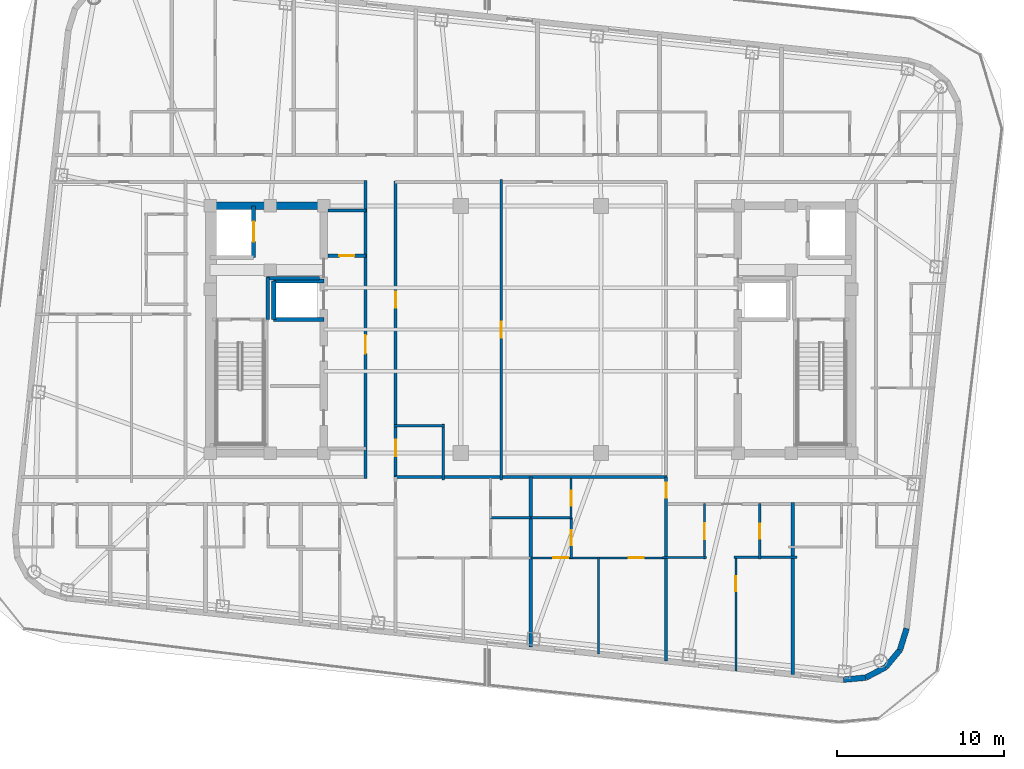
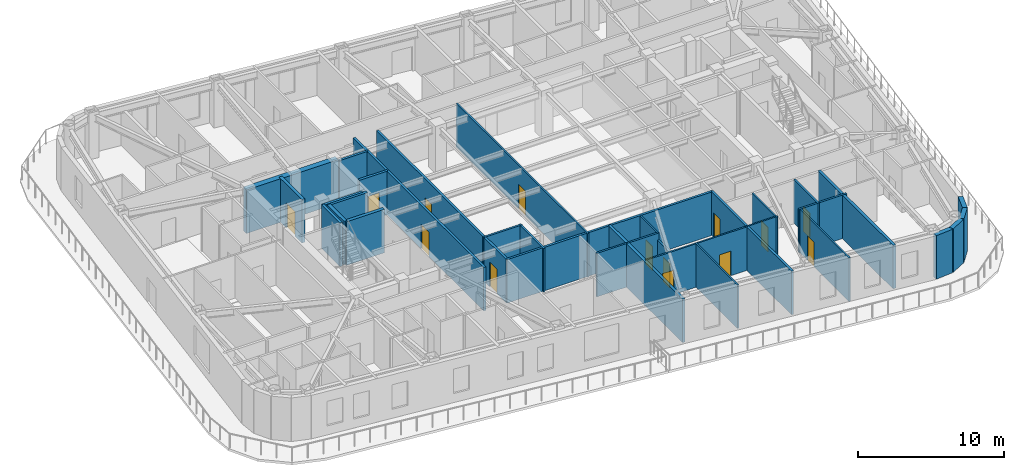
# One storey, part 5 of 14: 33 walls, 14 doors, 14 openings.
"""IFC4 building model written with IfcOpenShell, lengths in metres."""

from ifc_helpers import new_model, si_unit, direction, frame, frame_2d, origin, place, context, subcontext, project, spatial, rectangle, extrude, material, layer, layer_set, type_object, element, fill, save


model = new_model("IFC4")

# Units and contexts
model_context = context("Model", 3, precision=1e-05, world=origin(), true_north=direction((0.0, 1.0)))
body_context = subcontext(model_context, "Body", "Model", "MODEL_VIEW")
ifc_project = project(units=[si_unit("LENGTHUNIT", "METRE"), si_unit("AREAUNIT", "SQUARE_METRE"), si_unit("VOLUMEUNIT", "CUBIC_METRE"), si_unit("PLANEANGLEUNIT", "RADIAN"), si_unit("MASSUNIT", "GRAM", prefix="KILO")], contexts=[model_context])

# Site, building, storey
site_placement = place(None, origin())
site = spatial("IfcSite", under=ifc_project, at=site_placement, CompositionType="ELEMENT")
building_placement = place(site_placement, origin())
building = spatial("IfcBuilding", under=site, at=building_placement, Name="Voryun Gate Residences", CompositionType="ELEMENT")
storey_placement = place(building_placement, frame((0.0, 0.0, 291.199951171875)))
storey = spatial("IfcBuildingStorey", under=building, at=storey_placement, Name="L72", CompositionType="ELEMENT", Elevation=291.199951171875)

# Walls
ifc_material_1 = material(Name="Concrete C50/60", Category="concrete")
ifc_layer_1 = layer(ifc_material_1, 0.449951171875, Name="CW_CORE_450")
ifc_layer_set_1 = layer_set([ifc_layer_1], Name="Concrete C50/60")
wall_type_1 = type_object("IfcWallType", Name="CW_CORE_450", PredefinedType="SHEAR", material=ifc_layer_set_1)
wall_1_placement = place(storey_placement, frame((-19.425048828125, 7.39990234375, 0.0), z_axis=(0.0, 0.0, 1.0), x_axis=(1.0, 0.0, 0.0)))
element("IfcWall", 1, at=wall_1_placement, inside=storey, type_object=wall_type_1, Name="L72 Core shear wall CW-L72-WN", PredefinedType="SHEAR", context=body_context, shape_type="SweptSolid", body=[
    extrude(rectangle(XDim=7.25, YDim=0.449951171875, at=frame_2d((3.625, 0.0))), origin(), (0.0, 0.0, 1.0), 3.635009765625),
])
ifc_material_2 = material(Name="Gypsum acoustic fireboard")
ifc_layer_2 = layer(ifc_material_2, 0.179931640625, Name="W_CORR_RATED_180")
ifc_layer_set_2 = layer_set([ifc_layer_2], Name="Gypsum acoustic fireboard")
wall_type_2 = type_object("IfcWallType", Name="W_CORR_RATED_180", PredefinedType="PARTITIONING", material=ifc_layer_set_2)
wall_2_placement = place(storey_placement, frame((-12.14990234375, 7.1201171875, 0.0), z_axis=(0.0, 0.0, 1.0), x_axis=(1.0, 0.0, 0.0)))
element("IfcWall", 2, at=wall_2_placement, inside=storey, type_object=wall_type_2, Name="Partition wall WP-L72-PLBN-W", PredefinedType="PARTITIONING", context=body_context, shape_type="SweptSolid", body=[
    extrude(rectangle(XDim=2.27001953125, YDim=0.179931640625, at=frame_2d((1.135009765625, 0.0))), origin(), (0.0, 0.0, 1.0), 3.635009765625),
])

# Wall, opening, door
wall_3_placement = place(storey_placement, frame((-9.89990234375, -8.929931640625, 0.0), z_axis=(0.0, 0.0, 1.0), x_axis=(0.0, 1.0, 0.0)))
wall_3 = element("IfcWall", 3, at=wall_3_placement, inside=storey, type_object=wall_type_2, Name="Partition wall WP-L72-PLBW-FULL", PredefinedType="PARTITIONING", context=body_context, shape_type="SweptSolid", body=[
    extrude(rectangle(XDim=17.85986328125, YDim=0.179931640625, at=frame_2d((8.929931640625, 0.0))), origin(), (0.0, 0.0, 1.0), 3.635009765625),
])
opening_1_placement = place(wall_3_placement, frame((7.487060546875, 0.0, 0.0)))
opening_1 = element("IfcOpeningElement", 4, at=opening_1_placement, cuts=wall_3, Name="Opening D-FD60-2", PredefinedType="OPENING", context=body_context, shape_type="SweptSolid", body=[
    extrude(rectangle(XDim=1.10009765625, YDim=2.050048828125, at=frame_2d((0.550048828125, 1.02490234375))), frame((0.0, 0.099853515625, 0.0), z_axis=(0.0, -1.0, 0.0), x_axis=(1.0, 0.0, 0.0)), (0.0, 0.0, 1.0), 0.199951171875),
])
ifc_material_3 = material(Name="Painted steel fire door", Category="steel")
door_type_1 = type_object("IfcDoorType", Name="DR_FD60_FFLOB_1100", OperationType="NOTDEFINED", PredefinedType="DOOR", material=ifc_material_3)
door_1_placement = place(opening_1_placement, origin())
door_1 = element("IfcDoor", 5, at=door_1_placement, inside=storey, type_object=door_type_1, Name="Door DR-L72-PLBW-COR", OperationType="SINGLE_SWING_LEFT", OverallHeight=2.050048828125, OverallWidth=1.10009765625, PredefinedType="DOOR", context=body_context, shape_type="SweptSolid", body=[
    extrude(rectangle(XDim=1.10009765625, YDim=2.050048828125, at=frame_2d((0.550048828125, 1.02490234375))), frame((0.0, 0.02490234375, 0.0), z_axis=(0.0, -1.0, 0.0), x_axis=(1.0, 0.0, 0.0)), (0.0, 0.0, 1.0), 0.050048828125),
])
fill(opening_1, door_1)

# Wall
wall_4_placement = place(storey_placement, frame((-8.14990234375, -8.840087890625, 0.0), z_axis=(0.0, 0.0, 1.0), x_axis=(1.0, 0.0, 0.0)))
element("IfcWall", 6, at=wall_4_placement, inside=storey, type_object=wall_type_2, Name="Partition wall WP-L72-Z3S", PredefinedType="PARTITIONING", context=body_context, shape_type="SweptSolid", body=[
    extrude(rectangle(XDim=16.2998046875, YDim=0.179931640625, at=frame_2d((8.14990234375, 0.0))), origin(), (0.0, 0.0, 1.0), 3.635009765625),
])

# Wall, openings, doors
wall_5_placement = place(storey_placement, frame((-8.10009765625, -8.8798828125, 0.0), z_axis=(0.0, 0.0, 1.0), x_axis=(0.0, 1.0, 0.0)))
wall_5 = element("IfcWall", 7, at=wall_5_placement, inside=storey, type_object=wall_type_2, Name="Partition wall WP-L72-Z3W", PredefinedType="PARTITIONING", context=body_context, shape_type="SweptSolid", body=[
    extrude(rectangle(XDim=17.759765625, YDim=0.179931640625, at=frame_2d((8.8798828125, 0.0))), origin(), (0.0, 0.0, 1.0), 3.635009765625),
])
opening_2_placement = place(wall_5_placement, frame((1.27587890625, 0.0, 0.0)))
opening_2 = element("IfcOpeningElement", 8, at=opening_2_placement, cuts=wall_5, Name="Opening D-AWC-1", PredefinedType="OPENING", context=body_context, shape_type="SweptSolid", body=[
    extrude(rectangle(XDim=1.0, YDim=2.050048828125, at=frame_2d((0.5, 1.02490234375))), frame((0.0, 0.099853515625, 0.0), z_axis=(0.0, -1.0, 0.0), x_axis=(1.0, 0.0, 0.0)), (0.0, 0.0, 1.0), 0.199951171875),
])
opening_3_placement = place(wall_5_placement, frame((10.180908203125, 0.0, 0.0)))
opening_3 = element("IfcOpeningElement", 9, at=opening_3_placement, cuts=wall_5, Name="Opening D-INT-1", PredefinedType="OPENING", context=body_context, shape_type="SweptSolid", body=[
    extrude(rectangle(XDim=0.949951171875, YDim=2.050048828125, at=frame_2d((0.47509765625, 1.02490234375))), frame((0.0, 0.099853515625, 0.0), z_axis=(0.0, -1.0, 0.0), x_axis=(1.0, 0.0, 0.0)), (0.0, 0.0, 1.0), 0.199951171875),
])
ifc_material_4 = material(Name="Architectural oak veneer")
door_type_2 = type_object("IfcDoorType", Name="DR_ACC_WC_1000", OperationType="NOTDEFINED", PredefinedType="DOOR", material=ifc_material_4)
door_2_placement = place(opening_2_placement, origin())
door_2 = element("IfcDoor", 10, at=door_2_placement, inside=storey, type_object=door_type_2, Name="Door DR-L72-CMWC-D", OperationType="SINGLE_SWING_LEFT", OverallHeight=2.050048828125, OverallWidth=1.0, PredefinedType="DOOR", context=body_context, shape_type="SweptSolid", body=[
    extrude(rectangle(XDim=1.0, YDim=2.050048828125, at=frame_2d((0.5, 1.02490234375))), frame((0.0, 0.02490234375, 0.0), z_axis=(0.0, -1.0, 0.0), x_axis=(1.0, 0.0, 0.0)), (0.0, 0.0, 1.0), 0.050048828125),
])
fill(opening_2, door_2)
ifc_material_5 = material(Name="Architectural oak veneer")
door_type_3 = type_object("IfcDoorType", Name="DR_INT_ROOM_950", OperationType="NOTDEFINED", PredefinedType="DOOR", material=ifc_material_5)
door_3_placement = place(opening_3_placement, origin())
door_3 = element("IfcDoor", 11, at=door_3_placement, inside=storey, type_object=door_type_3, Name="Door DR-L72-CMIDZ3W", OperationType="SINGLE_SWING_RIGHT", OverallHeight=2.050048828125, OverallWidth=0.949951171875, PredefinedType="DOOR", context=body_context, shape_type="SweptSolid", body=[
    extrude(rectangle(XDim=0.949951171875, YDim=2.050048828125, at=frame_2d((0.47509765625, 1.02490234375))), frame((0.0, 0.02490234375, 0.0), z_axis=(0.0, -1.0, 0.0), x_axis=(1.0, 0.0, 0.0)), (0.0, 0.0, 1.0), 0.050048828125),
])
fill(opening_3, door_3)

# Wall, opening, door
wall_6_placement = place(storey_placement, frame((8.10009765625, -19.857177734375, 0.0), z_axis=(0.0, 0.0, 1.0), x_axis=(0.0, 1.0, 0.0)))
wall_6 = element("IfcWall", 12, at=wall_6_placement, inside=storey, type_object=wall_type_2, Name="Partition wall WP-L72-SZV-2", PredefinedType="PARTITIONING", context=body_context, shape_type="SweptSolid", body=[
    extrude(rectangle(XDim=11.01708984375, YDim=0.179931640625, at=frame_2d((5.508544921875, 0.0))), origin(), (0.0, 0.0, 1.0), 3.635009765625),
])
opening_4_placement = place(wall_6_placement, frame((9.767333984375, 0.0, 0.0)))
opening_4 = element("IfcOpeningElement", 13, at=opening_4_placement, cuts=wall_6, Name="Opening D-INT-2", PredefinedType="OPENING", context=body_context, shape_type="SweptSolid", body=[
    extrude(rectangle(XDim=0.89990234375, YDim=2.050048828125, at=frame_2d((0.449951171875, 1.02490234375))), frame((0.0, 0.099853515625, 0.0), z_axis=(0.0, -1.0, 0.0), x_axis=(1.0, 0.0, 0.0)), (0.0, 0.0, 1.0), 0.199951171875),
])
ifc_material_6 = material(Name="Architectural oak veneer")
door_type_4 = type_object("IfcDoorType", Name="DR_INT_BATH_900", OperationType="NOTDEFINED", PredefinedType="DOOR", material=ifc_material_6)
door_4_placement = place(opening_4_placement, origin())
door_4 = element("IfcDoor", 14, at=door_4_placement, inside=storey, type_object=door_type_4, Name="Door DR-L72-SZENT-2", OperationType="SINGLE_SWING_RIGHT", OverallHeight=2.050048828125, OverallWidth=0.89990234375, PredefinedType="DOOR", context=body_context, shape_type="SweptSolid", body=[
    extrude(rectangle(XDim=0.89990234375, YDim=2.050048828125, at=frame_2d((0.449951171875, 1.02490234375))), frame((0.0, 0.02490234375, 0.0), z_axis=(0.0, -1.0, 0.0), x_axis=(1.0, 0.0, 0.0)), (0.0, 0.0, 1.0), 0.050048828125),
])
fill(opening_4, door_4)

# Walls
ifc_material_7 = material(Name="Charcoal terracotta masonry", Category="masonry")
ifc_layer_3 = layer(ifc_material_7, 0.340087890625, Name="W_EXT_TERRACOTTA_340")
ifc_layer_set_3 = layer_set([ifc_layer_3], Name="Charcoal terracotta masonry")
wall_type_3 = type_object("IfcWallType", Name="W_EXT_TERRACOTTA_340", PredefinedType="ELEMENTEDWALL", material=ifc_layer_set_3)
wall_7_placement = place(storey_placement, frame((22.495849609375, -17.904541015625, 0.0), z_axis=(0.0, 0.0, 1.0), x_axis=(-0.296416228123, -0.955058856671, 0.0)))
element("IfcWall", 15, at=wall_7_placement, inside=storey, type_object=wall_type_3, Name="Exterior wall WEXT-L72-17", PredefinedType="ELEMENTEDWALL", context=body_context, shape_type="SweptSolid", body=[
    extrude(rectangle(XDim=1.35400390625, YDim=0.340087890625, at=frame_2d((0.677001953125, 0.0))), origin(), (0.0, 0.0, 1.0), 3.635009765625),
])
wall_8_placement = place(storey_placement, frame((22.094482421875, -19.19775390625, 0.0), z_axis=(0.0, 0.0, 1.0), x_axis=(-0.639501603217, -0.768789762863, 0.0)))
element("IfcWall", 16, at=wall_8_placement, inside=storey, type_object=wall_type_3, Name="Exterior wall WEXT-L72-18", PredefinedType="ELEMENTEDWALL", context=body_context, shape_type="SweptSolid", body=[
    extrude(rectangle(XDim=1.3369140625, YDim=0.340087890625, at=frame_2d((0.66845703125, 0.0))), origin(), (0.0, 0.0, 1.0), 3.635009765625),
])
wall_9_placement = place(storey_placement, frame((21.239501953125, -20.2255859375, 0.0), z_axis=(0.0, 0.0, 1.0), x_axis=(-0.884922182678, -0.465738908193, 0.0)))
element("IfcWall", 17, at=wall_9_placement, inside=storey, type_object=wall_type_3, Name="Exterior wall WEXT-L72-19", PredefinedType="ELEMENTEDWALL", context=body_context, shape_type="SweptSolid", body=[
    extrude(rectangle(XDim=1.337158203125, YDim=0.340087890625, at=frame_2d((0.66845703125, 0.0))), origin(), (0.0, 0.0, 1.0), 3.635009765625),
])
wall_10_placement = place(storey_placement, frame((20.05615234375, -20.848388671875, 0.0), z_axis=(0.0, 0.0, 1.0), x_axis=(-0.995813013343, -0.091413579172, 0.0)))
element("IfcWall", 18, at=wall_10_placement, inside=storey, type_object=wall_type_3, Name="Exterior wall WEXT-L72-20", PredefinedType="ELEMENTEDWALL", context=body_context, shape_type="SweptSolid", body=[
    extrude(rectangle(XDim=1.35400390625, YDim=0.340087890625, at=frame_2d((0.677001953125, 0.0))), origin(), (0.0, 0.0, 1.0), 3.635009765625),
])
ifc_material_8 = material(Name="Concrete C40/50", Category="concrete")
ifc_layer_4 = layer(ifc_material_8, 0.199951171875, Name="W_FF_LOBBY_200")
ifc_layer_set_4 = layer_set([ifc_layer_4], Name="Concrete C40/50")
wall_type_4 = type_object("IfcWallType", Name="W_FF_LOBBY_200", PredefinedType="PARTITIONING", material=ifc_layer_set_4)
wall_11_placement = place(storey_placement, frame((-15.760009765625, 0.580078125, 0.0), z_axis=(0.0, 0.0, 1.0), x_axis=(0.0, 1.0, 0.0)))
element("IfcWall", 19, at=wall_11_placement, inside=storey, type_object=wall_type_4, Name="Partition wall WP-L72-FFP0-W", PredefinedType="PARTITIONING", context=body_context, shape_type="SweptSolid", body=[
    extrude(rectangle(XDim=2.52001953125, YDim=0.199951171875, at=frame_2d((1.260009765625, 0.0))), origin(), (0.0, 0.0, 1.0), 3.635009765625),
])
wall_12_placement = place(storey_placement, frame((-15.820068359375, 3.06005859375, 0.0), z_axis=(0.0, 0.0, 1.0), x_axis=(1.0, 0.0, 0.0)))
element("IfcWall", 20, at=wall_12_placement, inside=storey, type_object=wall_type_4, Name="Partition wall WP-L72-FFPS-W", PredefinedType="PARTITIONING", context=body_context, shape_type="SweptSolid", body=[
    extrude(rectangle(XDim=3.16015625, YDim=0.199951171875, at=frame_2d((1.580078125, 0.0))), origin(), (0.0, 0.0, 1.0), 3.635009765625),
])

# Wall, opening, door
wall_13_placement = place(storey_placement, frame((-12.14990234375, 4.409912109375, 0.0), z_axis=(0.0, 0.0, 1.0), x_axis=(1.0, 0.0, 0.0)))
wall_13 = element("IfcWall", 21, at=wall_13_placement, inside=storey, type_object=wall_type_4, Name="Partition wall WP-L72-CSFLKS-W", PredefinedType="PARTITIONING", context=body_context, shape_type="SweptSolid", body=[
    extrude(rectangle(XDim=2.27001953125, YDim=0.199951171875, at=frame_2d((1.135009765625, 0.0))), origin(), (0.0, 0.0, 1.0), 3.635009765625),
])
opening_5_placement = place(wall_13_placement, frame((0.68505859375, 0.0, 0.0)))
opening_5 = element("IfcOpeningElement", 22, at=opening_5_placement, cuts=wall_13, Name="Opening D-FD60-4", PredefinedType="OPENING", context=body_context, shape_type="SweptSolid", body=[
    extrude(rectangle(XDim=0.89990234375, YDim=2.050048828125, at=frame_2d((0.449951171875, 1.02490234375))), frame((0.0, 0.110107421875, 0.0), z_axis=(0.0, -1.0, 0.0), x_axis=(1.0, 0.0, 0.0)), (0.0, 0.0, 1.0), 0.219970703125),
])
ifc_material_9 = material(Name="Painted steel fire door", Category="steel")
door_type_5 = type_object("IfcDoorType", Name="DR_FD60_RISER_900", OperationType="NOTDEFINED", PredefinedType="DOOR", material=ifc_material_9)
door_5_placement = place(opening_5_placement, origin())
door_5 = element("IfcDoor", 23, at=door_5_placement, inside=storey, type_object=door_type_5, Name="Door DR-L72-CSFLK-W", OperationType="SINGLE_SWING_LEFT", OverallHeight=2.050048828125, OverallWidth=0.89990234375, PredefinedType="DOOR", context=body_context, shape_type="SweptSolid", body=[
    extrude(rectangle(XDim=0.89990234375, YDim=2.050048828125, at=frame_2d((0.449951171875, 1.02490234375))), frame((0.0, 0.02490234375, 0.0), z_axis=(0.0, -1.0, 0.0), x_axis=(1.0, 0.0, 0.0)), (0.0, 0.0, 1.0), 0.050048828125),
])
fill(opening_5, door_5)

# Walls
ifc_material_10 = material(Name="Concrete C40/50", Category="concrete")
ifc_layer_5 = layer(ifc_material_10, 0.219970703125, Name="W_PARTY_ACOUSTIC_220")
ifc_layer_set_5 = layer_set([ifc_layer_5], Name="Concrete C40/50")
wall_type_5 = type_object("IfcWallType", Name="W_PARTY_ACOUSTIC_220", PredefinedType="PARTITIONING", material=ifc_layer_set_5)
wall_14_placement = place(storey_placement, frame((15.681884765625, -20.654052734375, 0.0), z_axis=(0.0, 0.0, 1.0), x_axis=(0.0, 1.0, 0.0)))
element("IfcWall", 24, at=wall_14_placement, inside=storey, type_object=wall_type_5, Name="Partition wall WP-L72-SPTY-6", PredefinedType="PARTITIONING", context=body_context, shape_type="SweptSolid", body=[
    extrude(rectangle(XDim=10.283935546875, YDim=0.219970703125, at=frame_2d((5.14208984375, 0.0))), origin(), (0.0, 0.0, 1.0), 3.635009765625),
])
wall_15_placement = place(storey_placement, frame((0.0, -19.005859375, 0.0), z_axis=(0.0, 0.0, 1.0), x_axis=(0.0, 1.0, 0.0)))
element("IfcWall", 25, at=wall_15_placement, inside=storey, type_object=wall_type_5, Name="Partition wall WP-L72-SZMID", PredefinedType="PARTITIONING", context=body_context, shape_type="SweptSolid", body=[
    extrude(rectangle(XDim=10.165771484375, YDim=0.219970703125, at=frame_2d((5.0830078125, 0.0))), origin(), (0.0, 0.0, 1.0), 3.635009765625),
])

# Wall, opening, door
ifc_material_11 = material(Name="Concrete C50/60", Category="concrete")
ifc_layer_6 = layer(ifc_material_11, 0.25, Name="W_SHAFT_RC250")
ifc_layer_set_6 = layer_set([ifc_layer_6], Name="Concrete C50/60")
wall_type_6 = type_object("IfcWallType", Name="W_SHAFT_RC250", PredefinedType="SOLIDWALL", material=ifc_layer_set_6)
wall_16_placement = place(storey_placement, frame((-16.60009765625, 4.300048828125, 0.0), z_axis=(0.0, 0.0, 1.0), x_axis=(0.0, 1.0, 0.0)))
wall_16 = element("IfcWall", 26, at=wall_16_placement, inside=storey, type_object=wall_type_6, Name="Lift shaft wall WSH-L72-EL-FF-W1-E", PredefinedType="SOLIDWALL", context=body_context, shape_type="SweptSolid", body=[
    extrude(rectangle(XDim=3.099853515625, YDim=0.25, at=frame_2d((1.5498046875, 0.0))), origin(), (0.0, 0.0, 1.0), 3.635009765625),
])
opening_6_placement = place(wall_16_placement, frame((0.949951171875, 0.0, 0.0)))
opening_6 = element("IfcOpeningElement", 27, at=opening_6_placement, cuts=wall_16, Name="Opening LD1", PredefinedType="OPENING", context=body_context, shape_type="SweptSolid", body=[
    extrude(rectangle(XDim=1.199951171875, YDim=2.050048828125, at=frame_2d((0.60009765625, 1.02490234375))), frame((0.0, 0.135009765625, 0.0), z_axis=(0.0, -1.0, 0.0), x_axis=(1.0, 0.0, 0.0)), (0.0, 0.0, 1.0), 0.27001953125),
])
ifc_material_12 = material(Name="Anodised aluminium", Category="aluminium")
door_type_6 = type_object("IfcDoorType", Name="DR_LD_FF_1200", OperationType="NOTDEFINED", PredefinedType="DOOR", material=ifc_material_12)
door_6_placement = place(opening_6_placement, origin())
door_6 = element("IfcDoor", 28, at=door_6_placement, inside=storey, type_object=door_type_6, Name="Lift EL-FF-W1 sliding landing door L72", OperationType="SLIDING_TO_LEFT", OverallHeight=2.050048828125, OverallWidth=1.199951171875, PredefinedType="DOOR", context=body_context, shape_type="SweptSolid", body=[
    extrude(rectangle(XDim=1.199951171875, YDim=2.050048828125, at=frame_2d((0.60009765625, 1.02490234375))), frame((0.0, 0.02490234375, 0.0), z_axis=(0.0, -1.0, 0.0), x_axis=(1.0, 0.0, 0.0)), (0.0, 0.0, 1.0), 0.050048828125),
])
fill(opening_6, door_6)

# Walls
for number, where, z_axis, x_axis, name in (
    (29, (-15.39990234375, 0.60009765625, 0.0), (0.0, 0.0, 1.0), (1.0, 0.0, 0.0), "Lift shaft wall WSH-L72-EL-P7-S"),
    (30, (-12.39990234375, 2.89990234375, 0.0), (0.0, 0.0, 1.0), (-1.0, 0.0, 0.0), "Lift shaft wall WSH-L72-EL-P7-N"),
):
    element("IfcWall", number, at=place(storey_placement, frame(where, z_axis=z_axis, x_axis=x_axis)), inside=storey, type_object=wall_type_6, Name=name, PredefinedType="SOLIDWALL", context=body_context, shape_type="SweptSolid", body=[
        extrude(rectangle(XDim=3.0, YDim=0.25, at=frame_2d((1.5, 0.0))), origin(), (0.0, 0.0, 1.0), 3.635009765625),
    ])
wall_17_placement = place(storey_placement, frame((-15.39990234375, 2.89990234375, 0.0), z_axis=(0.0, 0.0, 1.0), x_axis=(0.0, -1.0, 0.0)))
element("IfcWall", 31, at=wall_17_placement, inside=storey, type_object=wall_type_6, Name="Lift shaft wall WSH-L72-EL-P7-W", PredefinedType="SOLIDWALL", context=body_context, shape_type="SweptSolid", body=[
    extrude(rectangle(XDim=2.2998046875, YDim=0.25, at=frame_2d((1.14990234375, 0.0))), origin(), (0.0, 0.0, 1.0), 3.635009765625),
])

# Wall, opening, door
ifc_material_13 = material(Name="Gypsum acoustic partition")
ifc_layer_7 = layer(ifc_material_13, 0.125, Name="W_UNIT_PART_125")
ifc_layer_set_7 = layer_set([ifc_layer_7], Name="Gypsum acoustic partition")
wall_type_7 = type_object("IfcWallType", Name="W_UNIT_PART_125", PredefinedType="PARTITIONING", material=ifc_layer_set_7)
wall_18_placement = place(storey_placement, frame((-1.77294921875, -9.02001953125, 0.0), z_axis=(0.0, 0.0, 1.0), x_axis=(0.0, 1.0, 0.0)))
wall_18 = element("IfcWall", 32, at=wall_18_placement, inside=storey, type_object=wall_type_7, Name="Partition wall WP-L72-MIDX-0", PredefinedType="PARTITIONING", context=body_context, shape_type="SweptSolid", body=[
    extrude(rectangle(XDim=17.989990234375, YDim=0.125, at=frame_2d((8.9951171875, 0.0))), origin(), (0.0, 0.0, 1.0), 3.635009765625),
])
opening_7_placement = place(wall_18_placement, frame((8.52001953125, 0.0, 0.0)))
opening_7 = element("IfcOpeningElement", 33, at=opening_7_placement, cuts=wall_18, Name="Opening D-INT-1", PredefinedType="OPENING", context=body_context, shape_type="SweptSolid", body=[
    extrude(rectangle(XDim=0.949951171875, YDim=2.050048828125, at=frame_2d((0.47509765625, 1.02490234375))), frame((0.0, 0.072509765625, 0.0), z_axis=(0.0, -1.0, 0.0), x_axis=(1.0, 0.0, 0.0)), (0.0, 0.0, 1.0), 0.14501953125),
])
door_7_placement = place(opening_7_placement, origin())
door_7 = element("IfcDoor", 34, at=door_7_placement, inside=storey, type_object=door_type_3, Name="Door DR-L72-MIDX-0", OperationType="SINGLE_SWING_LEFT", OverallHeight=2.050048828125, OverallWidth=0.949951171875, PredefinedType="DOOR", context=body_context, shape_type="SweptSolid", body=[
    extrude(rectangle(XDim=0.949951171875, YDim=2.050048828125, at=frame_2d((0.47509765625, 1.02490234375))), frame((0.0, 0.02490234375, 0.0), z_axis=(0.0, -1.0, 0.0), x_axis=(1.0, 0.0, 0.0)), (0.0, 0.0, 1.0), 0.050048828125),
])
fill(opening_7, door_7)

wall_19_placement = place(storey_placement, frame((12.27197265625, -20.446533203125, 0.0), z_axis=(0.0, 0.0, 1.0), x_axis=(0.0, 1.0, 0.0)))
wall_19 = element("IfcWall", 35, at=wall_19_placement, inside=storey, type_object=wall_type_7, Name="Partition wall WP-L72-S6-OVR", PredefinedType="PARTITIONING", context=body_context, shape_type="SweptSolid", body=[
    extrude(rectangle(XDim=6.87353515625, YDim=0.125, at=frame_2d((3.436767578125, 0.0))), origin(), (0.0, 0.0, 1.0), 3.635009765625),
])
opening_8_placement = place(wall_19_placement, frame((4.77392578125, 0.0, 0.0)))
opening_8 = element("IfcOpeningElement", 36, at=opening_8_placement, cuts=wall_19, Name="Opening D-INT-2", PredefinedType="OPENING", context=body_context, shape_type="SweptSolid", body=[
    extrude(rectangle(XDim=0.89990234375, YDim=2.050048828125, at=frame_2d((0.449951171875, 1.02490234375))), frame((0.0, 0.072509765625, 0.0), z_axis=(0.0, -1.0, 0.0), x_axis=(1.0, 0.0, 0.0)), (0.0, 0.0, 1.0), 0.14501953125),
])
door_8_placement = place(opening_8_placement, origin())
door_8 = element("IfcDoor", 37, at=door_8_placement, inside=storey, type_object=door_type_4, Name="Door DR-L72-S6-DMB", OperationType="SINGLE_SWING_RIGHT", OverallHeight=2.050048828125, OverallWidth=0.89990234375, PredefinedType="DOOR", context=body_context, shape_type="SweptSolid", body=[
    extrude(rectangle(XDim=0.89990234375, YDim=2.050048828125, at=frame_2d((0.449951171875, 1.02490234375))), frame((0.0, 0.02490234375, 0.0), z_axis=(0.0, -1.0, 0.0), x_axis=(1.0, 0.0, 0.0)), (0.0, 0.0, 1.0), 0.050048828125),
])
fill(opening_8, door_8)

wall_20_placement = place(storey_placement, frame((10.389892578125, -13.73291015625, 0.0), z_axis=(0.0, 0.0, 1.0), x_axis=(0.0, 1.0, 0.0)))
wall_20 = element("IfcWall", 38, at=wall_20_placement, inside=storey, type_object=wall_type_7, Name="Partition wall WP-L72-S6-IVK", PredefinedType="PARTITIONING", context=body_context, shape_type="SweptSolid", body=[
    extrude(rectangle(XDim=3.302978515625, YDim=0.125, at=frame_2d((1.6513671875, 0.0))), origin(), (0.0, 0.0, 1.0), 3.635009765625),
])
opening_9_placement = place(wall_20_placement, frame((1.176513671875, 0.0, 0.0)))
opening_9 = element("IfcOpeningElement", 39, at=opening_9_placement, cuts=wall_20, Name="Opening D-INT-1", PredefinedType="OPENING", context=body_context, shape_type="SweptSolid", body=[
    extrude(rectangle(XDim=0.949951171875, YDim=2.050048828125, at=frame_2d((0.47509765625, 1.02490234375))), frame((0.0, 0.072509765625, 0.0), z_axis=(0.0, -1.0, 0.0), x_axis=(1.0, 0.0, 0.0)), (0.0, 0.0, 1.0), 0.14501953125),
])
door_9_placement = place(opening_9_placement, origin())
door_9 = element("IfcDoor", 40, at=door_9_placement, inside=storey, type_object=door_type_3, Name="Door DR-L72-S6-DK", OperationType="SINGLE_SWING_LEFT", OverallHeight=2.050048828125, OverallWidth=0.949951171875, PredefinedType="DOOR", context=body_context, shape_type="SweptSolid", body=[
    extrude(rectangle(XDim=0.949951171875, YDim=2.050048828125, at=frame_2d((0.47509765625, 1.02490234375))), frame((0.0, 0.02490234375, 0.0), z_axis=(0.0, -1.0, 0.0), x_axis=(1.0, 0.0, 0.0)), (0.0, 0.0, 1.0), 0.050048828125),
])
fill(opening_9, door_9)

# Wall
wall_21_placement = place(storey_placement, frame((7.887451171875, -13.653076171875, 0.0), z_axis=(0.0, 0.0, 1.0), x_axis=(1.0, 0.0, 0.0)))
element("IfcWall", 41, at=wall_21_placement, inside=storey, type_object=wall_type_7, Name="Partition wall WP-L72-S6-HZK", PredefinedType="PARTITIONING", context=body_context, shape_type="SweptSolid", body=[
    extrude(rectangle(XDim=2.62255859375, YDim=0.125, at=frame_2d((1.311279296875, 0.0))), origin(), (0.0, 0.0, 1.0), 3.635009765625),
])

# Wall, openings, doors
wall_22_placement = place(storey_placement, frame((0.02001953125, -13.679931640625, 0.0), z_axis=(0.0, 0.0, 1.0), x_axis=(1.0, 0.0, 0.0)))
wall_22 = element("IfcWall", 42, at=wall_22_placement, inside=storey, type_object=wall_type_7, Name="Partition wall WP-L72-SC2-HZ", PredefinedType="PARTITIONING", context=body_context, shape_type="SweptSolid", body=[
    extrude(rectangle(XDim=7.992431640625, YDim=0.125, at=frame_2d((3.99609375, 0.0))), origin(), (0.0, 0.0, 1.0), 3.635009765625),
])
opening_10_placement = place(wall_22_placement, frame((1.3232421875, 0.0, 0.0)))
opening_10 = element("IfcOpeningElement", 43, at=opening_10_placement, cuts=wall_22, Name="Opening D-INT-2", PredefinedType="OPENING", context=body_context, shape_type="SweptSolid", body=[
    extrude(rectangle(XDim=0.89990234375, YDim=2.050048828125, at=frame_2d((0.449951171875, 1.02490234375))), frame((0.0, 0.072509765625, 0.0), z_axis=(0.0, -1.0, 0.0), x_axis=(1.0, 0.0, 0.0)), (0.0, 0.0, 1.0), 0.14501953125),
])
opening_11_placement = place(wall_22_placement, frame((5.8369140625, 0.0, 0.0)))
opening_11 = element("IfcOpeningElement", 44, at=opening_11_placement, cuts=wall_22, Name="Opening D-INT-2", PredefinedType="OPENING", context=body_context, shape_type="SweptSolid", body=[
    extrude(rectangle(XDim=0.89990234375, YDim=2.050048828125, at=frame_2d((0.449951171875, 1.02490234375))), frame((0.0, 0.072509765625, 0.0), z_axis=(0.0, -1.0, 0.0), x_axis=(1.0, 0.0, 0.0)), (0.0, 0.0, 1.0), 0.14501953125),
])
door_10_placement = place(opening_10_placement, origin())
door_10 = element("IfcDoor", 45, at=door_10_placement, inside=storey, type_object=door_type_4, Name="Door DR-L72-SC2-DMB", OperationType="SINGLE_SWING_LEFT", OverallHeight=2.050048828125, OverallWidth=0.89990234375, PredefinedType="DOOR", context=body_context, shape_type="SweptSolid", body=[
    extrude(rectangle(XDim=0.89990234375, YDim=2.050048828125, at=frame_2d((0.449951171875, 1.02490234375))), frame((0.0, 0.02490234375, 0.0), z_axis=(0.0, -1.0, 0.0), x_axis=(1.0, 0.0, 0.0)), (0.0, 0.0, 1.0), 0.050048828125),
])
fill(opening_10, door_10)
door_11_placement = place(opening_11_placement, origin())
door_11 = element("IfcDoor", 46, at=door_11_placement, inside=storey, type_object=door_type_4, Name="Door DR-L72-SC2-DBD2", OperationType="SINGLE_SWING_RIGHT", OverallHeight=2.050048828125, OverallWidth=0.89990234375, PredefinedType="DOOR", context=body_context, shape_type="SweptSolid", body=[
    extrude(rectangle(XDim=0.89990234375, YDim=2.050048828125, at=frame_2d((0.449951171875, 1.02490234375))), frame((0.0, 0.02490234375, 0.0), z_axis=(0.0, -1.0, 0.0), x_axis=(1.0, 0.0, 0.0)), (0.0, 0.0, 1.0), 0.050048828125),
])
fill(opening_11, door_11)

# Wall, opening, door
wall_23_placement = place(storey_placement, frame((2.409912109375, -11.31005859375, 0.0), z_axis=(0.0, 0.0, 1.0), x_axis=(0.0, 1.0, 0.0)))
wall_23 = element("IfcWall", 47, at=wall_23_placement, inside=storey, type_object=wall_type_7, Name="Partition wall WP-L72-SC2-VK1", PredefinedType="PARTITIONING", context=body_context, shape_type="SweptSolid", body=[
    extrude(rectangle(XDim=2.41015625, YDim=0.125, at=frame_2d((1.205078125, 0.0))), origin(), (0.0, 0.0, 1.0), 3.635009765625),
])
opening_12_placement = place(wall_23_placement, frame((0.7548828125, 0.0, 0.0)))
opening_12 = element("IfcOpeningElement", 48, at=opening_12_placement, cuts=wall_23, Name="Opening D-INT-2", PredefinedType="OPENING", context=body_context, shape_type="SweptSolid", body=[
    extrude(rectangle(XDim=0.89990234375, YDim=2.050048828125, at=frame_2d((0.449951171875, 1.02490234375))), frame((0.0, 0.072509765625, 0.0), z_axis=(0.0, -1.0, 0.0), x_axis=(1.0, 0.0, 0.0)), (0.0, 0.0, 1.0), 0.14501953125),
])
door_12_placement = place(opening_12_placement, origin())
door_12 = element("IfcDoor", 49, at=door_12_placement, inside=storey, type_object=door_type_4, Name="Door DR-L72-SC2-DK", OperationType="SINGLE_SWING_LEFT", OverallHeight=2.050048828125, OverallWidth=0.89990234375, PredefinedType="DOOR", context=body_context, shape_type="SweptSolid", body=[
    extrude(rectangle(XDim=0.89990234375, YDim=2.050048828125, at=frame_2d((0.449951171875, 1.02490234375))), frame((0.0, 0.02490234375, 0.0), z_axis=(0.0, -1.0, 0.0), x_axis=(1.0, 0.0, 0.0)), (0.0, 0.0, 1.0), 0.050048828125),
])
fill(opening_12, door_12)

# Walls
wall_24_placement = place(storey_placement, frame((4.050048828125, -19.431640625, 0.0), z_axis=(0.0, 0.0, 1.0), x_axis=(0.0, 1.0, 0.0)))
element("IfcWall", 50, at=wall_24_placement, inside=storey, type_object=wall_type_7, Name="Partition wall WP-L72-SC2-VBD", PredefinedType="PARTITIONING", context=body_context, shape_type="SweptSolid", body=[
    extrude(rectangle(XDim=5.791748046875, YDim=0.125, at=frame_2d((2.89599609375, 0.0))), origin(), (0.0, 0.0, 1.0), 3.635009765625),
])
ifc_material_14 = material(Name="Gypsum moisture-resistant partition")
ifc_layer_8 = layer(ifc_material_14, 0.14990234375, Name="W_WET_PLUMB_150")
ifc_layer_set_8 = layer_set([ifc_layer_8], Name="Gypsum moisture-resistant partition")
wall_type_8 = type_object("IfcWallType", Name="W_WET_PLUMB_150", PredefinedType="PLUMBINGWALL", material=ifc_layer_set_8)
wall_25_placement = place(storey_placement, frame((-5.260009765625, -9.02001953125, 0.0), z_axis=(0.0, 0.0, 1.0), x_axis=(0.0, 1.0, 0.0)))
element("IfcWall", 51, at=wall_25_placement, inside=storey, type_object=wall_type_8, Name="Partition wall WP-L72-CMWCX", PredefinedType="PLUMBINGWALL", context=body_context, shape_type="SweptSolid", body=[
    extrude(rectangle(XDim=3.35009765625, YDim=0.14990234375, at=frame_2d((1.675048828125, 0.0))), origin(), (0.0, 0.0, 1.0), 3.635009765625),
])
wall_26_placement = place(storey_placement, frame((-8.2099609375, -5.77001953125, 0.0), z_axis=(0.0, 0.0, 1.0), x_axis=(1.0, 0.0, 0.0)))
element("IfcWall", 52, at=wall_26_placement, inside=storey, type_object=wall_type_8, Name="Partition wall WP-L72-CMWCY", PredefinedType="PLUMBINGWALL", context=body_context, shape_type="SweptSolid", body=[
    extrude(rectangle(XDim=3.050048828125, YDim=0.14990234375, at=frame_2d((1.52490234375, 0.0))), origin(), (0.0, 0.0, 1.0), 3.635009765625),
])
wall_27_placement = place(storey_placement, frame((12.152099609375, -13.653076171875, 0.0), z_axis=(0.0, 0.0, 1.0), x_axis=(1.0, 0.0, 0.0)))
element("IfcWall", 53, at=wall_27_placement, inside=storey, type_object=wall_type_8, Name="Partition wall WP-L72-S6-HZB", PredefinedType="PLUMBINGWALL", context=body_context, shape_type="SweptSolid", body=[
    extrude(rectangle(XDim=3.789794921875, YDim=0.14990234375, at=frame_2d((1.89501953125, 0.0))), origin(), (0.0, 0.0, 1.0), 3.635009765625),
])

# Wall, opening, door
wall_28_placement = place(storey_placement, frame((13.701904296875, -13.73291015625, 0.0), z_axis=(0.0, 0.0, 1.0), x_axis=(0.0, 1.0, 0.0)))
wall_28 = element("IfcWall", 54, at=wall_28_placement, inside=storey, type_object=wall_type_8, Name="Partition wall WP-L72-S6-IVB", PredefinedType="PLUMBINGWALL", context=body_context, shape_type="SweptSolid", body=[
    extrude(rectangle(XDim=3.302978515625, YDim=0.14990234375, at=frame_2d((1.6513671875, 0.0))), origin(), (0.0, 0.0, 1.0), 3.635009765625),
])
opening_13_placement = place(wall_28_placement, frame((1.201416015625, 0.0, 0.0)))
opening_13 = element("IfcOpeningElement", 55, at=opening_13_placement, cuts=wall_28, Name="Opening D-INT-2", PredefinedType="OPENING", context=body_context, shape_type="SweptSolid", body=[
    extrude(rectangle(XDim=0.89990234375, YDim=2.050048828125, at=frame_2d((0.449951171875, 1.02490234375))), frame((0.0, 0.0849609375, 0.0), z_axis=(0.0, -1.0, 0.0), x_axis=(1.0, 0.0, 0.0)), (0.0, 0.0, 1.0), 0.169921875),
])
door_13_placement = place(opening_13_placement, origin())
door_13 = element("IfcDoor", 56, at=door_13_placement, inside=storey, type_object=door_type_4, Name="Door DR-L72-S6-DB", OperationType="SINGLE_SWING_RIGHT", OverallHeight=2.050048828125, OverallWidth=0.89990234375, PredefinedType="DOOR", context=body_context, shape_type="SweptSolid", body=[
    extrude(rectangle(XDim=0.89990234375, YDim=2.050048828125, at=frame_2d((0.449951171875, 1.02490234375))), frame((0.0, 0.02490234375, 0.0), z_axis=(0.0, -1.0, 0.0), x_axis=(1.0, 0.0, 0.0)), (0.0, 0.0, 1.0), 0.050048828125),
])
fill(opening_13, door_13)

# Wall
wall_29_placement = place(storey_placement, frame((-2.449951171875, -11.280029296875, 0.0), z_axis=(0.0, 0.0, 1.0), x_axis=(1.0, 0.0, 0.0)))
element("IfcWall", 57, at=wall_29_placement, inside=storey, type_object=wall_type_8, Name="Partition wall WP-L72-SC1-HKB", PredefinedType="PLUMBINGWALL", context=body_context, shape_type="SweptSolid", body=[
    extrude(rectangle(XDim=2.429931640625, YDim=0.14990234375, at=frame_2d((1.21484375, 0.0))), origin(), (0.0, 0.0, 1.0), 3.635009765625),
])

# Wall, opening, door
wall_30_placement = place(storey_placement, frame((2.409912109375, -13.719970703125, 0.0), z_axis=(0.0, 0.0, 1.0), x_axis=(0.0, 1.0, 0.0)))
wall_30 = element("IfcWall", 58, at=wall_30_placement, inside=storey, type_object=wall_type_8, Name="Partition wall WP-L72-SC2-VK2", PredefinedType="PLUMBINGWALL", context=body_context, shape_type="SweptSolid", body=[
    extrude(rectangle(XDim=2.469970703125, YDim=0.14990234375, at=frame_2d((1.23486328125, 0.0))), origin(), (0.0, 0.0, 1.0), 3.074951171875),
])
opening_14_placement = place(wall_30_placement, frame((0.784912109375, 0.0, 0.0)))
opening_14 = element("IfcOpeningElement", 59, at=opening_14_placement, cuts=wall_30, Name="Opening D-INT-2", PredefinedType="OPENING", context=body_context, shape_type="SweptSolid", body=[
    extrude(rectangle(XDim=0.89990234375, YDim=2.050048828125, at=frame_2d((0.449951171875, 1.02490234375))), frame((0.0, 0.0849609375, 0.0), z_axis=(0.0, -1.0, 0.0), x_axis=(1.0, 0.0, 0.0)), (0.0, 0.0, 1.0), 0.169921875),
])
door_14_placement = place(opening_14_placement, origin())
door_14 = element("IfcDoor", 60, at=door_14_placement, inside=storey, type_object=door_type_4, Name="Door DR-L72-SC2-DB", OperationType="SINGLE_SWING_RIGHT", OverallHeight=2.050048828125, OverallWidth=0.89990234375, PredefinedType="DOOR", context=body_context, shape_type="SweptSolid", body=[
    extrude(rectangle(XDim=0.89990234375, YDim=2.050048828125, at=frame_2d((0.449951171875, 1.02490234375))), frame((0.0, 0.02490234375, 0.0), z_axis=(0.0, -1.0, 0.0), x_axis=(1.0, 0.0, 0.0)), (0.0, 0.0, 1.0), 0.050048828125),
])
fill(opening_14, door_14)

# Wall
wall_31_placement = place(storey_placement, frame((0.02001953125, -11.280029296875, 0.0), z_axis=(0.0, 0.0, 1.0), x_axis=(1.0, 0.0, 0.0)))
element("IfcWall", 61, at=wall_31_placement, inside=storey, type_object=wall_type_8, Name="Partition wall WP-L72-SC2-HKB", PredefinedType="PLUMBINGWALL", context=body_context, shape_type="SweptSolid", body=[
    extrude(rectangle(XDim=2.429931640625, YDim=0.14990234375, at=frame_2d((1.21484375, 0.0))), origin(), (0.0, 0.0, 1.0), 3.635009765625),
])

save(model, "model.ifc")
